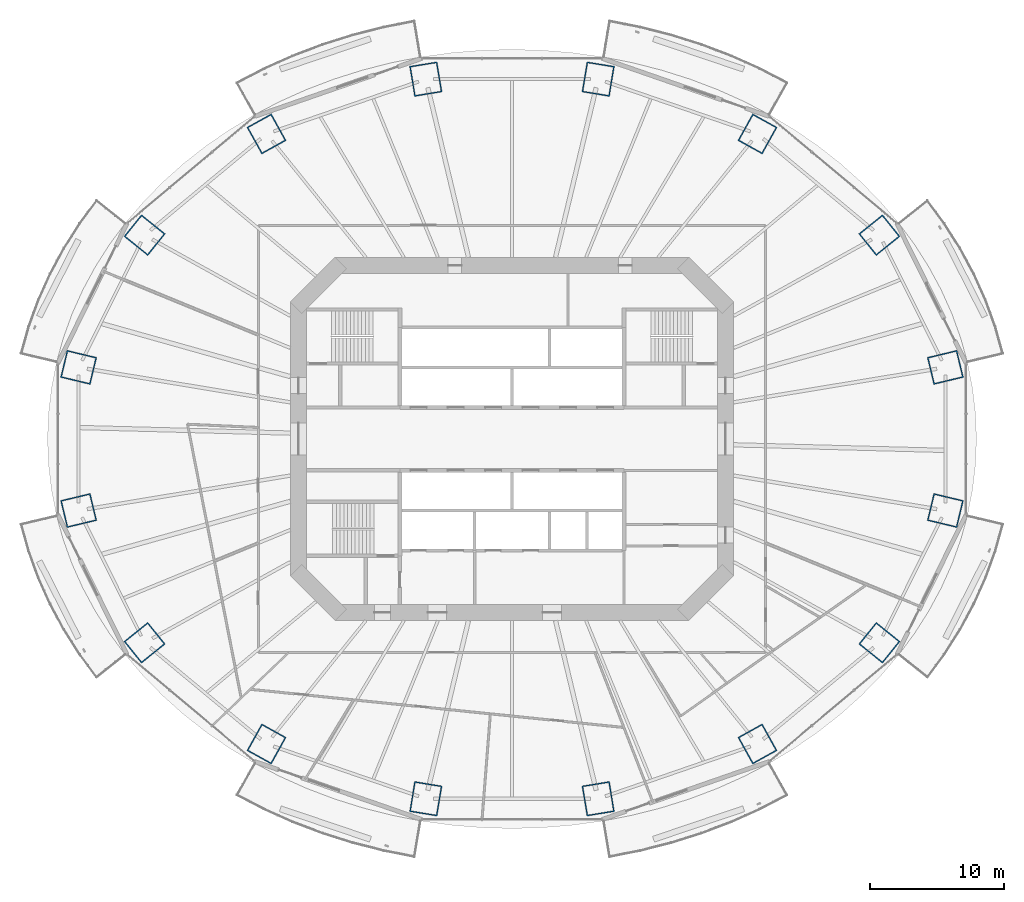
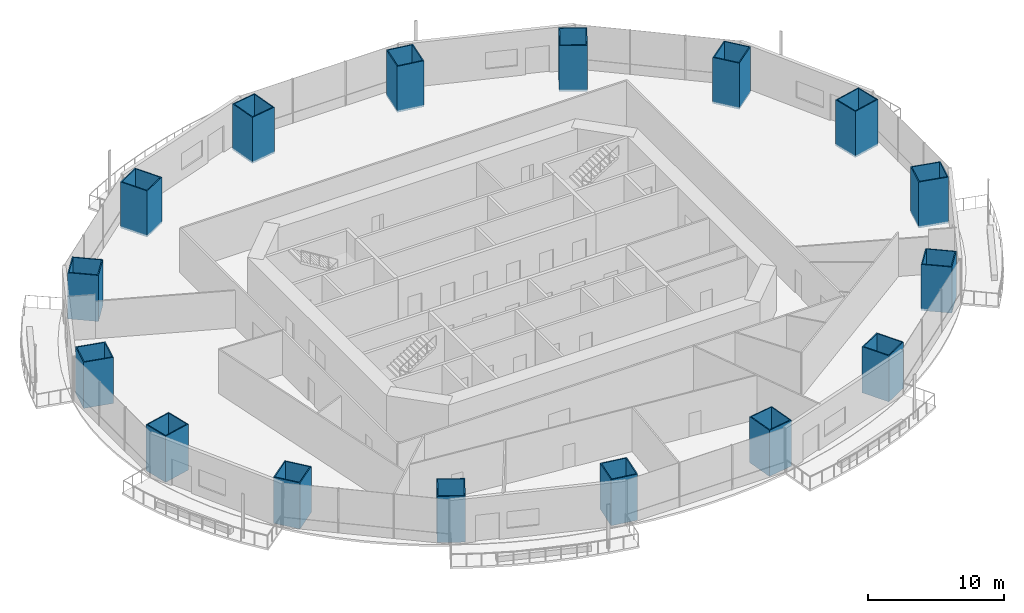
# One storey, part 1 of 22: 16 columns.
"""IFC4 building model written with IfcOpenShell, lengths in metres."""

from ifc_helpers import new_model, si_unit, direction, frame, origin, origin_2d, place, context, subcontext, project, spatial, rectangle, hollow_rectangle, extrude, material, material_profile, profile_set, type_object, element, save


model = new_model("IFC4")

# Units and contexts
model_context = context("Model", 3, precision=1e-05, world=origin(), true_north=direction((0.0, 1.0)))
body_context = subcontext(model_context, "Body", "Model", "MODEL_VIEW")
ifc_project = project(units=[si_unit("LENGTHUNIT", "METRE"), si_unit("AREAUNIT", "SQUARE_METRE"), si_unit("VOLUMEUNIT", "CUBIC_METRE"), si_unit("PLANEANGLEUNIT", "RADIAN"), si_unit("MASSUNIT", "GRAM", prefix="KILO")], contexts=[model_context])

# Site, building, storey
site_placement = place(None, origin())
site = spatial("IfcSite", under=ifc_project, at=site_placement, CompositionType="ELEMENT")
building_placement = place(site_placement, origin())
building = spatial("IfcBuilding", under=site, at=building_placement, Name="Marenthal Gate Tower", CompositionType="ELEMENT")
storey_placement = place(building_placement, frame((0.0, 0.0, 103.550048828125)))
storey = spatial("IfcBuildingStorey", under=building, at=storey_placement, Name="L21", CompositionType="ELEMENT", Elevation=103.550048828125)

# Columns
ifc_material_1 = material(Name="Steel S460", Category="steel")
ifc_material_profile_1 = material_profile(ifc_material_1, hollow_rectangle(XDim=2.10009765625, YDim=2.300048828125, WallThickness=0.0849609375, at=origin_2d()), Name="CFT BOX 2300X2100X85")
ifc_material_2 = material(Name="Concrete 70 MPa", Category="concrete")
ifc_material_profile_2 = material_profile(ifc_material_2, rectangle(XDim=1.929931640625, YDim=2.1298828125, at=origin_2d()), Name="CFT BOX 2300X2100X85 INFILL")
ifc_profile_set = profile_set([ifc_material_profile_1, ifc_material_profile_2], Name="Steel S460 shell, Concrete 70 MPa infill")
column_type = type_object("IfcColumnType", Name="CFT BOX 2300X2100X85", PredefinedType="COLUMN", material=ifc_profile_set)
for number, where, z_axis, x_axis, name in (
    (1, (32.4521484375, 5.359619140625, -0.179931640625), (0.0, 0.0, 1.0), (0.23297354102, -0.972483073984, 0.0), "COL-L21-01"),
    (2, (27.51171875, 15.26318359375, -0.179931640625), (0.0, 0.0, 1.0), (0.626945161765, -0.779063389038, 0.0), "COL-L21-02"),
    (3, (18.3828125, 22.843017578125, -0.179931640625), (0.0, 0.0, 1.0), (0.87444195639, -0.485130152541, 0.0), "COL-L21-03"),
    (4, (6.455078125, 26.945068359375, -0.179931640625), (0.0, 0.0, 1.0), (0.986634517147, -0.162948855698, 0.0), "COL-L21-04"),
    (5, (-6.455078125, 26.945068359375, -0.179931640625), (0.0, 0.0, 1.0), (0.986634517147, 0.162948855698, 0.0), "COL-L21-05"),
    (6, (-18.3828125, 22.843017578125, -0.179931640625), (0.0, 0.0, 1.0), (0.87444195639, 0.485130152541, 0.0), "COL-L21-06"),
    (7, (-27.51171875, 15.26318359375, -0.179931640625), (0.0, 0.0, 1.0), (0.626945161765, 0.779063389038, 0.0), "COL-L21-07"),
    (8, (-32.4521484375, 5.359619140625, -0.179931640625), (0.0, 0.0, 1.0), (0.23297354102, 0.972483073984, 0.0), "COL-L21-08"),
    (9, (-32.4521484375, -5.359619140625, -0.179931640625), (0.0, 0.0, 1.0), (-0.23297354102, 0.972483073984, 0.0), "COL-L21-09"),
    (10, (-27.51171875, -15.26318359375, -0.179931640625), (0.0, 0.0, 1.0), (-0.626945161765, 0.779063389038, 0.0), "COL-L21-10"),
    (11, (-18.3828125, -22.843017578125, -0.179931640625), (0.0, 0.0, 1.0), (-0.87444195639, 0.485130152541, 0.0), "COL-L21-11"),
    (12, (-6.455078125, -26.945068359375, -0.179931640625), (0.0, 0.0, 1.0), (-0.986634517147, 0.162948855698, 0.0), "COL-L21-12"),
    (13, (6.455078125, -26.945068359375, -0.179931640625), (0.0, 0.0, 1.0), (-0.986634517147, -0.162948855698, 0.0), "COL-L21-13"),
    (14, (18.3828125, -22.843017578125, -0.179931640625), (0.0, 0.0, 1.0), (-0.87444195639, -0.485130152541, 0.0), "COL-L21-14"),
    (15, (27.51171875, -15.26318359375, -0.179931640625), (0.0, 0.0, 1.0), (-0.626945161765, -0.779063389038, 0.0), "COL-L21-15"),
    (16, (32.4521484375, -5.359619140625, -0.179931640625), (0.0, 0.0, 1.0), (-0.23297354102, -0.972483073984, 0.0), "COL-L21-16"),
):
    element("IfcColumn", number, at=place(storey_placement, frame(where, z_axis=z_axis, x_axis=x_axis)), inside=storey, type_object=column_type, Name=name, PredefinedType="COLUMN", context=body_context, shape_type="SweptSolid", body=[
        extrude(hollow_rectangle(XDim=2.10009765625, YDim=2.300048828125, WallThickness=0.0849609375, at=origin_2d()), origin(), (0.0, 0.0, 1.0), 4.14990234375),
    ])

save(model, "model.ifc")
